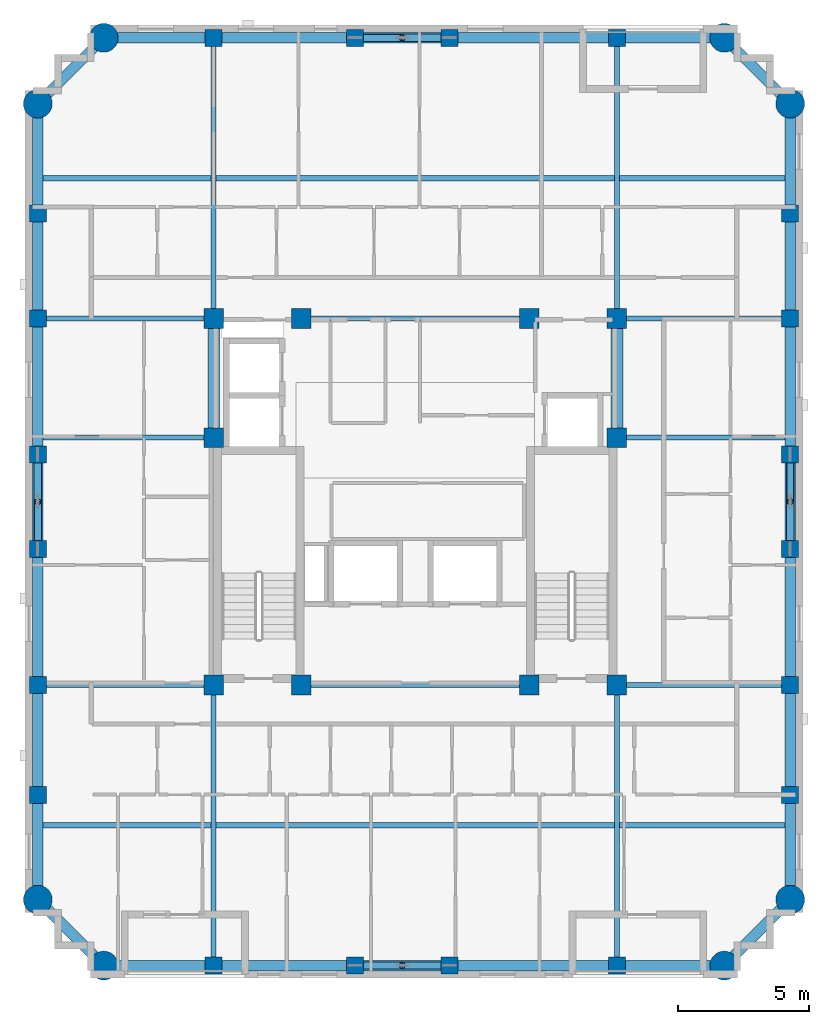
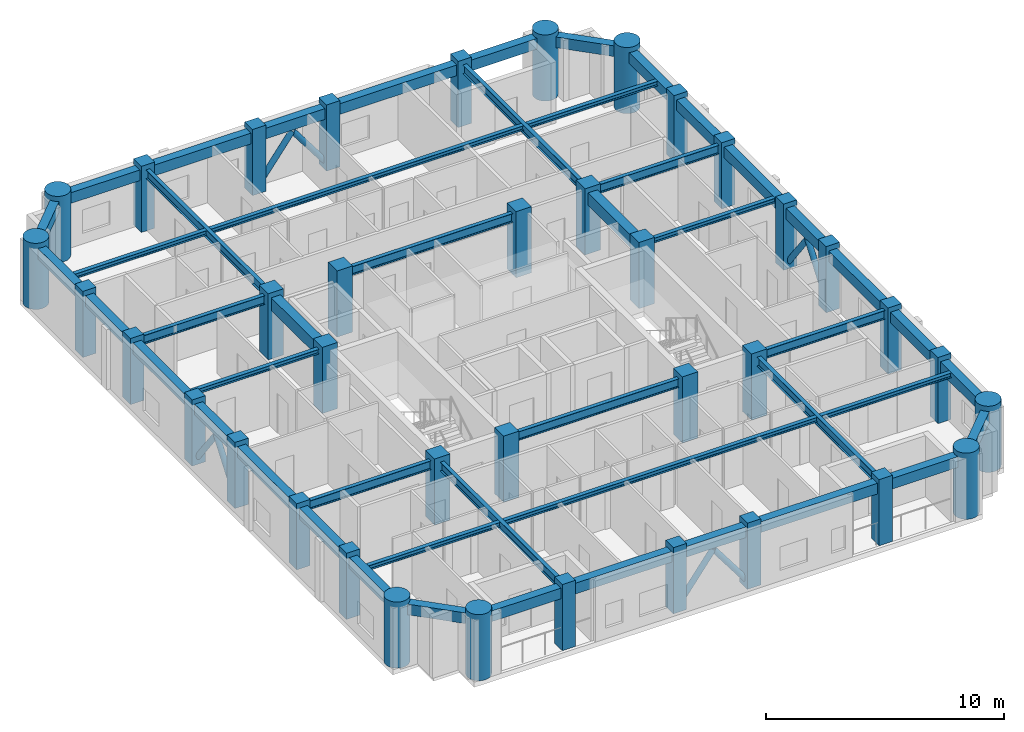
# One storey, part 1 of 11: 48 beams, 38 columns, 8 members.
"""IFC4 building model written with IfcOpenShell, lengths in metres."""

import ifcopenshell
import ifcopenshell.guid

model = None  # the IFC model being written
_history = None  # IfcOwnerHistory: only IFC2X3 demands one
_inside = {}  # id of a spatial element -> (the spatial element, [elements in it])
_under = {}  # id of a project, library or spatial element -> (it, [spatial elements below it])
_declared = {}  # id of a project -> (the project, [libraries it declares])
_typed = {}  # id of a type object -> (the type object, [elements of that type])
_made_of = {}  # id of a material, layer set ... -> (it, [elements and type objects made of it])


def new_model(schema):
    """Start an empty IFC model of exactly this schema.

    Asked for "IFC4X3", IfcOpenShell would pick the latest addendum, in which some entities
    have other attributes; the version numbers below select the first issue.
    IFC2X3 requires an IfcOwnerHistory on every rooted entity: one is made here for all.
    """
    global model, _history
    if schema == "IFC4X3":
        model = ifcopenshell.file(schema_version=(4, 3, 0, 0))
    else:
        model = ifcopenshell.file(schema=schema)
    _inside.clear()
    _under.clear()
    _declared.clear()
    _typed.clear()
    _made_of.clear()
    _history = None
    if model.schema == "IFC2X3":
        org = make("IfcOrganization", Name="unknown")
        user = make(
            "IfcPersonAndOrganization",
            ThePerson=make("IfcPerson", FamilyName="unknown"),
            TheOrganization=org,
        )
        app = make(
            "IfcApplication",
            ApplicationDeveloper=org,
            Version="unknown",
            ApplicationFullName="unknown",
            ApplicationIdentifier="unknown",
        )
        _history = make(
            "IfcOwnerHistory",
            OwningUser=user,
            OwningApplication=app,
            ChangeAction="ADDED",
            CreationDate=0,
        )
    return model


def make(cls, **values):
    """One entity of the class cls with the attributes given. An attribute that is None is left unset."""
    return model.create_entity(
        cls, **{name: value for name, value in values.items() if value is not None}
    )


def rooted(cls, **values):
    """An entity with a GlobalId (a new one), such as an element, a storey or a relation."""
    return make(cls, GlobalId=ifcopenshell.guid.new(), OwnerHistory=_history, **values)


def si_unit(unit_type, name, prefix=None):
    """IfcSIUnit, for example si_unit("LENGTHUNIT", "METRE", prefix="MILLI")."""
    return make("IfcSIUnit", UnitType=unit_type, Prefix=prefix, Name=name)


def derived_unit(unit_type, elements):
    """IfcDerivedUnit: a product of units, each with its exponent."""
    return make(
        "IfcDerivedUnit",
        Elements=[
            make("IfcDerivedUnitElement", Unit=unit, Exponent=power)
            for unit, power in elements
        ],
        UnitType=unit_type,
    )


def assignment(units):
    """IfcUnitAssignment: the units of a project."""
    return None if units is None else make("IfcUnitAssignment", Units=units)


def point(xyz):
    """IfcCartesianPoint."""
    return None if xyz is None else make("IfcCartesianPoint", Coordinates=xyz)


def direction(xyz):
    """IfcDirection."""
    return None if xyz is None else make("IfcDirection", DirectionRatios=xyz)


def frame(location, z_axis=None, x_axis=None):
    """IfcAxis2Placement3D, a coordinate frame: its origin and axes. An axis left out is left unset."""
    return make(
        "IfcAxis2Placement3D",
        Location=point(location),
        Axis=direction(z_axis),
        RefDirection=direction(x_axis),
    )


def frame_2d(location, x_axis=None):
    """IfcAxis2Placement2D, a coordinate frame in the plane: its origin and x axis."""
    return make(
        "IfcAxis2Placement2D", Location=point(location), RefDirection=direction(x_axis)
    )


def origin():
    """The frame at (0, 0, 0) with its axes left unset."""
    return frame((0.0, 0.0, 0.0))


def origin_2d():
    """The frame at (0, 0) in the plane with its x axis left unset."""
    return frame_2d((0.0, 0.0))


def place(relative_to, where):
    """IfcLocalPlacement: puts the frame where relative to a parent placement (None: the world)."""
    return make(
        "IfcLocalPlacement", PlacementRelTo=relative_to, RelativePlacement=where
    )


def context(
    kind, dimensions, precision=None, world=None, true_north=None, identifier=None
):
    """IfcGeometricRepresentationContext, for example the 3D "Model" context."""
    return make(
        "IfcGeometricRepresentationContext",
        ContextIdentifier=identifier,
        ContextType=kind,
        CoordinateSpaceDimension=dimensions,
        Precision=precision,
        WorldCoordinateSystem=world,
        TrueNorth=true_north,
    )


def subcontext(parent, identifier, kind, view, scale=None):
    """IfcGeometricRepresentationSubContext, for example "Body" below "Model"."""
    return make(
        "IfcGeometricRepresentationSubContext",
        ContextIdentifier=identifier,
        ContextType=kind,
        ParentContext=parent,
        TargetScale=scale,
        TargetView=view,
    )


def project(units=None, contexts=None):
    """IfcProject with its units and contexts."""
    return rooted(
        "IfcProject",
        Name="project",
        RepresentationContexts=contexts,
        UnitsInContext=assignment(units),
    )


def spatial(cls, under=None, at=None, **own):
    """A site, building, storey or space (cls), placed at a placement, below another one or the project."""
    s = rooted(cls, ObjectPlacement=at, **own)
    if under is not None:
        _under.setdefault(under.id(), (under, []))[1].append(s)
    return s


def profile(cls, at=None, kind="AREA", **sizes):
    """A parametric profile (cls). Its sizes go by their IFC names, for example OverallWidth=200.0."""
    return make(cls, ProfileType=kind, Position=at, **sizes)


def rectangle(**sizes):
    """IfcRectangleProfileDef."""
    return profile("IfcRectangleProfileDef", **sizes)


def circle(**sizes):
    """IfcCircleProfileDef."""
    return profile("IfcCircleProfileDef", **sizes)


def hollow_circle(**sizes):
    """IfcCircleHollowProfileDef."""
    return profile("IfcCircleHollowProfileDef", **sizes)


def i_section(**sizes):
    """IfcIShapeProfileDef."""
    return profile("IfcIShapeProfileDef", **sizes)


def extrude(swept, where, along, depth):
    """IfcExtrudedAreaSolid: the profile swept, set in the frame where, extruded along a direction by depth."""
    return make(
        "IfcExtrudedAreaSolid",
        SweptArea=swept,
        Position=where,
        ExtrudedDirection=direction(along),
        Depth=depth,
    )


def shape(context_of_items, identifier, shape_type, items):
    """IfcShapeRepresentation: the items that make up one representation, for example the "Body"."""
    return make(
        "IfcShapeRepresentation",
        ContextOfItems=context_of_items,
        RepresentationIdentifier=identifier,
        RepresentationType=shape_type,
        Items=items,
    )


def material(Name=None, Category=None):
    """IfcMaterial."""
    return make("IfcMaterial", Name=Name, Category=Category)


def material_profile(
    of_material, cross_section, Name=None, Category=None, Priority=None
):
    """IfcMaterialProfile: a cross section and its material."""
    return make(
        "IfcMaterialProfile",
        Name=Name,
        Material=of_material,
        Profile=cross_section,
        Priority=Priority,
        Category=Category,
    )


def profile_set(profiles, Name=None, composite=None):
    """IfcMaterialProfileSet."""
    return make(
        "IfcMaterialProfileSet",
        Name=Name,
        MaterialProfiles=profiles,
        CompositeProfile=composite,
    )


def made_of(thing, what):
    """Note that an element or type object is made of a material, layer set ...; save() writes the relation."""
    if what is not None:
        _made_of.setdefault(what.id(), (what, []))[1].append(thing)
    return thing


def type_object(cls, material=None, **own):
    """A type object (cls), such as IfcWallType, which elements share."""
    return made_of(rooted(cls, **own), material)


def element(
    cls,
    number,
    at=None,
    inside=None,
    cuts=None,
    type_object=None,
    material=None,
    context=None,
    identifier="Body",
    shape_type=None,
    held_by="IfcProductDefinitionShape",
    body=None,
    shapes=None,
    **own,
):
    """One element of the class cls, such as IfcWall. Its Tag is "e" and its number.

    at: its placement. inside: the storey or other place that contains it. cuts: it is an
    opening in that element (IfcRelVoidsElement). A single representation is given by context,
    identifier, shape_type and body (its items); several are given by shapes. held_by: the class
    of the entity that holds the representations. save() writes the other relations.
    """
    e = rooted(cls, Tag="e%d" % number, ObjectPlacement=at, **own)
    if body is not None:
        shapes = [shape(context, identifier, shape_type, body)]
    if shapes is not None:
        e.Representation = make(held_by, Representations=shapes)
    if inside is not None:
        _inside.setdefault(inside.id(), (inside, []))[1].append(e)
    if cuts is not None:
        rooted(
            "IfcRelVoidsElement", RelatingBuildingElement=cuts, RelatedOpeningElement=e
        )
    if type_object is not None:
        _typed.setdefault(type_object.id(), (type_object, []))[1].append(e)
    return made_of(e, material)


def aggregate(whole, parts):
    """IfcRelAggregates: a whole, such as a stair, and the parts it consists of."""
    return rooted("IfcRelAggregates", RelatingObject=whole, RelatedObjects=parts)


def save(model, path):
    """Write the relations noted so far, then the file.

    IfcRelAggregates (storeys below a building ...), IfcRelContainedInSpatialStructure (elements
    in a storey), IfcRelDefinesByType, IfcRelAssociatesMaterial and IfcRelDeclares: one each for
    every whole, place, type object, material and project.
    """
    for whole, parts in _under.values():
        aggregate(whole, parts)
    for where, things in _inside.values():
        rooted(
            "IfcRelContainedInSpatialStructure",
            RelatedElements=things,
            RelatingStructure=where,
        )
    for kind, things in _typed.values():
        rooted("IfcRelDefinesByType", RelatedObjects=things, RelatingType=kind)
    for what, things in _made_of.values():
        rooted("IfcRelAssociatesMaterial", RelatedObjects=things, RelatingMaterial=what)
    for by, libraries in _declared.values():
        rooted("IfcRelDeclares", RelatingContext=by, RelatedDefinitions=libraries)
    model.write(path)


model = new_model("IFC4")

# Units and contexts
model_context = context("Model", 3, precision=1e-05, world=origin(), true_north=direction((0.0, 1.0)))
body_context = subcontext(model_context, "Body", "Model", "MODEL_VIEW")
ifc_project = project(units=[si_unit("LENGTHUNIT", "METRE"), si_unit("AREAUNIT", "SQUARE_METRE"), si_unit("VOLUMEUNIT", "CUBIC_METRE"), si_unit("PLANEANGLEUNIT", "RADIAN"), si_unit("MASSUNIT", "GRAM", prefix="KILO"), derived_unit("THERMALTRANSMITTANCEUNIT", [(si_unit("MASSUNIT", "GRAM", prefix="KILO"), 1), (si_unit("TIMEUNIT", "SECOND"), -3), (si_unit("THERMODYNAMICTEMPERATUREUNIT", "KELVIN"), -1)])], contexts=[model_context])

# Site, building, storey
site_placement = place(None, origin())
site = spatial("IfcSite", under=ifc_project, at=site_placement, CompositionType="ELEMENT")
building_placement = place(site_placement, origin())
building = spatial("IfcBuilding", under=site, at=building_placement, Name="Korrvale Station Residences", CompositionType="ELEMENT")
storey_placement = place(building_placement, frame((0.0, 0.0, 227.5)))
storey = spatial("IfcBuildingStorey", under=building, at=storey_placement, Name="L66", CompositionType="ELEMENT", Elevation=227.5)

# Columns
ifc_material_1 = material(Name="Concrete C50/60", Category="concrete")
ifc_material_profile_1 = material_profile(ifc_material_1, rectangle(XDim=0.64990234375, YDim=0.64990234375, at=origin_2d()), Name="RC650x650")
ifc_profile_set_1 = profile_set([ifc_material_profile_1], Name="Concrete C50/60")
column_type_1 = type_object("IfcColumnType", Name="COL-C-RC650x650-C5060", PredefinedType="COLUMN", material=ifc_profile_set_1)
for number, where, z_axis, x_axis, name in (
    (1, (17.800048828125, 4.280029296875, 0.0), (0.0, 0.0, 1.0), (1.0, 0.0, 0.0), "L66 Bundled-Tube South Column 02"),
    (2, (23.199951171875, 4.280029296875, 0.0), (0.0, 0.0, 1.0), (1.0, 0.0, 0.0), "L66 Bundled-Tube South Column 03"),
    (3, (26.800048828125, 4.280029296875, 0.0), (0.0, 0.0, 1.0), (1.0, 0.0, 0.0), "L66 Bundled-Tube South Column 04"),
    (4, (33.199951171875, 4.280029296875, 0.0), (0.0, 0.0, 1.0), (1.0, 0.0, 0.0), "L66 Bundled-Tube South Column 05"),
    (5, (17.800048828125, 39.719970703125, 0.0), (0.0, 0.0, 1.0), (1.0, 0.0, 0.0), "L66 Bundled-Tube North Column 08"),
    (6, (23.199951171875, 39.719970703125, 0.0), (0.0, 0.0, 1.0), (1.0, 0.0, 0.0), "L66 Bundled-Tube North Column 09"),
    (7, (26.800048828125, 39.719970703125, 0.0), (0.0, 0.0, 1.0), (1.0, 0.0, 0.0), "L66 Bundled-Tube North Column 10"),
    (8, (33.199951171875, 39.719970703125, 0.0), (0.0, 0.0, 1.0), (1.0, 0.0, 0.0), "L66 Bundled-Tube North Column 11"),
    (9, (11.080078125, 10.800048828125, 0.0), (0.0, 0.0, 1.0), (1.0, 0.0, 0.0), "L66 Bundled-Tube West Column 14"),
    (10, (11.080078125, 15.0, 0.0), (0.0, 0.0, 1.0), (1.0, 0.0, 0.0), "L66 Bundled-Tube West Column 15"),
    (11, (11.080078125, 20.199951171875, 0.0), (0.0, 0.0, 1.0), (1.0, 0.0, 0.0), "L66 Bundled-Tube West Column 16"),
    (12, (11.080078125, 23.800048828125, 0.0), (0.0, 0.0, 1.0), (1.0, 0.0, 0.0), "L66 Bundled-Tube West Column 17"),
    (13, (11.080078125, 29.0, 0.0), (0.0, 0.0, 1.0), (1.0, 0.0, 0.0), "L66 Bundled-Tube West Column 18"),
    (14, (11.080078125, 33.0, 0.0), (0.0, 0.0, 1.0), (1.0, 0.0, 0.0), "L66 Bundled-Tube West Column 19"),
    (15, (39.820068359375, 10.800048828125, 0.0), (0.0, 0.0, 1.0), (1.0, 0.0, 0.0), "L66 Bundled-Tube East Column 22"),
    (16, (39.820068359375, 15.0, 0.0), (0.0, 0.0, 1.0), (1.0, 0.0, 0.0), "L66 Bundled-Tube East Column 23"),
    (17, (39.820068359375, 20.199951171875, 0.0), (0.0, 0.0, 1.0), (1.0, 0.0, 0.0), "L66 Bundled-Tube East Column 24"),
    (18, (39.820068359375, 23.800048828125, 0.0), (0.0, 0.0, 1.0), (1.0, 0.0, 0.0), "L66 Bundled-Tube East Column 25"),
    (19, (39.820068359375, 29.0, 0.0), (0.0, 0.0, 1.0), (1.0, 0.0, 0.0), "L66 Bundled-Tube East Column 26"),
    (20, (39.820068359375, 33.0, 0.0), (0.0, 0.0, 1.0), (1.0, 0.0, 0.0), "L66 Bundled-Tube East Column 27"),
):
    element("IfcColumn", number, at=place(storey_placement, frame(where, z_axis=z_axis, x_axis=x_axis)), inside=storey, type_object=column_type_1, Name=name, PredefinedType="COLUMN", context=body_context, shape_type="SweptSolid", body=[
        extrude(rectangle(XDim=0.64990234375, YDim=0.64990234375, at=origin_2d()), origin(), (0.0, 0.0, 1.0), 3.39990234375),
    ])
ifc_material_profile_2 = material_profile(ifc_material_1, rectangle(XDim=0.75, YDim=0.75, at=origin_2d()), Name="RC750x750")
ifc_profile_set_2 = profile_set([ifc_material_profile_2], Name="Concrete C50/60")
column_type_2 = type_object("IfcColumnType", Name="COL-C-RC750x750-C5060", PredefinedType="COLUMN", material=ifc_profile_set_2)
for number, where, z_axis, x_axis, name in (
    (21, (17.800048828125, 15.0, 0.0), (0.0, 0.0, 1.0), (1.0, 0.0, 0.0), "L66 Core Column 01"),
    (22, (21.14990234375, 15.0, 0.0), (0.0, 0.0, 1.0), (1.0, 0.0, 0.0), "L66 Core Column 02"),
    (23, (29.85009765625, 15.0, 0.0), (0.0, 0.0, 1.0), (1.0, 0.0, 0.0), "L66 Core Column 03"),
    (24, (33.199951171875, 15.0, 0.0), (0.0, 0.0, 1.0), (1.0, 0.0, 0.0), "L66 Core Column 04"),
    (25, (17.800048828125, 29.0, 0.0), (0.0, 0.0, 1.0), (1.0, 0.0, 0.0), "L66 Core Column 05"),
    (26, (21.14990234375, 29.0, 0.0), (0.0, 0.0, 1.0), (1.0, 0.0, 0.0), "L66 Core Column 06"),
    (27, (29.85009765625, 29.0, 0.0), (0.0, 0.0, 1.0), (1.0, 0.0, 0.0), "L66 Core Column 07"),
    (28, (33.199951171875, 29.0, 0.0), (0.0, 0.0, 1.0), (1.0, 0.0, 0.0), "L66 Core Column 08"),
    (29, (17.800048828125, 24.449951171875, 0.0), (0.0, 0.0, 1.0), (1.0, 0.0, 0.0), "L66 Core Column 09"),
    (30, (33.199951171875, 24.449951171875, 0.0), (0.0, 0.0, 1.0), (1.0, 0.0, 0.0), "L66 Core Column 10"),
):
    element("IfcColumn", number, at=place(storey_placement, frame(where, z_axis=z_axis, x_axis=x_axis)), inside=storey, type_object=column_type_2, Name=name, PredefinedType="COLUMN", context=body_context, shape_type="SweptSolid", body=[
        extrude(rectangle(XDim=0.75, YDim=0.75, at=origin_2d()), origin(), (0.0, 0.0, 1.0), 3.39990234375),
    ])
ifc_material_profile_3 = material_profile(ifc_material_1, circle(Radius=0.550048828125, at=origin_2d()), Name="RCC1100")
ifc_profile_set_3 = profile_set([ifc_material_profile_3], Name="Concrete C50/60")
column_type_3 = type_object("IfcColumnType", Name="COL-C-RCC1100-C5060", PredefinedType="COLUMN", material=ifc_profile_set_3)
for number, where, z_axis, x_axis, name in (
    (31, (13.60009765625, 4.280029296875, 0.0), (0.0, 0.0, 1.0), (1.0, 0.0, 0.0), "L66 Bundled-Tube South Column 01"),
    (32, (37.300048828125, 4.280029296875, 0.0), (0.0, 0.0, 1.0), (1.0, 0.0, 0.0), "L66 Bundled-Tube South Column 06"),
    (33, (13.60009765625, 39.719970703125, 0.0), (0.0, 0.0, 1.0), (1.0, 0.0, 0.0), "L66 Bundled-Tube North Column 07"),
    (34, (37.300048828125, 39.719970703125, 0.0), (0.0, 0.0, 1.0), (1.0, 0.0, 0.0), "L66 Bundled-Tube North Column 12"),
    (35, (11.080078125, 6.800048828125, 0.0), (0.0, 0.0, 1.0), (1.0, 0.0, 0.0), "L66 Bundled-Tube West Column 13"),
    (36, (11.080078125, 37.199951171875, 0.0), (0.0, 0.0, 1.0), (1.0, 0.0, 0.0), "L66 Bundled-Tube West Column 20"),
    (37, (39.820068359375, 6.800048828125, 0.0), (0.0, 0.0, 1.0), (1.0, 0.0, 0.0), "L66 Bundled-Tube East Column 21"),
    (38, (39.820068359375, 37.199951171875, 0.0), (0.0, 0.0, 1.0), (1.0, 0.0, 0.0), "L66 Bundled-Tube East Column 28"),
):
    element("IfcColumn", number, at=place(storey_placement, frame(where, z_axis=z_axis, x_axis=x_axis)), inside=storey, type_object=column_type_3, Name=name, PredefinedType="COLUMN", context=body_context, shape_type="SweptSolid", body=[
        extrude(circle(Radius=0.550048828125, at=origin_2d()), origin(), (0.0, 0.0, 1.0), 3.39990234375),
    ])

# Beams
ifc_material_2 = material(Name="Steel S355", Category="steel")
ifc_material_profile_4 = material_profile(ifc_material_2, i_section(OverallWidth=0.18994140625, OverallDepth=0.45703125, WebThickness=0.009033203125, FlangeThickness=0.014404296875, FilletRadius=0.01611328125, at=origin_2d()), Name="W460x74")
ifc_profile_set_4 = profile_set([ifc_material_profile_4], Name="Steel S355")
beam_type_1 = type_object("IfcBeamType", Name="BM-BM-W460x74-S355", PredefinedType="BEAM", material=ifc_profile_set_4)
for number, where, z_axis, x_axis, name in (
    (39, (17.800048828125, 4.280029296875, 2.91162109375), (0.0, 1.0, 0.0), (-1.0, 0.0, 0.0), "L66 Bundled-Tube Web Girder 01"),
    (40, (33.199951171875, 4.280029296875, 2.91162109375), (0.0, 1.0, 0.0), (-1.0, 0.0, 0.0), "L66 Bundled-Tube Web Girder 02"),
    (41, (17.800048828125, 29.0, 2.91162109375), (0.0, 1.0, 0.0), (-1.0, 0.0, 0.0), "L66 Bundled-Tube Web Girder 03"),
    (42, (33.199951171875, 29.0, 2.91162109375), (0.0, 1.0, 0.0), (-1.0, 0.0, 0.0), "L66 Bundled-Tube Web Girder 04"),
):
    element("IfcBeam", number, at=place(storey_placement, frame(where, z_axis=z_axis, x_axis=x_axis)), inside=storey, type_object=beam_type_1, Name=name, PredefinedType="BEAM", context=body_context, shape_type="SweptSolid", body=[
        extrude(i_section(OverallWidth=0.18994140625, OverallDepth=0.45703125, WebThickness=0.009033203125, FlangeThickness=0.014404296875, FilletRadius=0.01611328125, at=origin_2d()), origin(), (0.0, 0.0, 1.0), 10.719970703125),
    ])
beam_1_placement = place(storey_placement, frame((11.080078125, 15.0, 2.91162109375), z_axis=(1.0, 0.0, 0.0), x_axis=(0.0, 1.0, 0.0)))
element("IfcBeam", 43, at=beam_1_placement, inside=storey, type_object=beam_type_1, Name="L66 Bundled-Tube Web Girder 05", PredefinedType="BEAM", context=body_context, shape_type="SweptSolid", body=[
    extrude(i_section(OverallWidth=0.18994140625, OverallDepth=0.45703125, WebThickness=0.009033203125, FlangeThickness=0.014404296875, FilletRadius=0.01611328125, at=origin_2d()), origin(), (0.0, 0.0, 1.0), 6.719970703125),
])
beam_2_placement = place(storey_placement, frame((33.199951171875, 15.0, 2.91162109375), z_axis=(1.0, 0.0, 0.0), x_axis=(0.0, 1.0, 0.0)))
element("IfcBeam", 44, at=beam_2_placement, inside=storey, type_object=beam_type_1, Name="L66 Bundled-Tube Web Girder 06", PredefinedType="BEAM", context=body_context, shape_type="SweptSolid", body=[
    extrude(i_section(OverallWidth=0.18994140625, OverallDepth=0.45703125, WebThickness=0.009033203125, FlangeThickness=0.014404296875, FilletRadius=0.01611328125, at=origin_2d()), origin(), (0.0, 0.0, 1.0), 6.6201171875),
])
beam_3_placement = place(storey_placement, frame((11.080078125, 29.0, 2.91162109375), z_axis=(1.0, 0.0, 0.0), x_axis=(0.0, 1.0, 0.0)))
element("IfcBeam", 45, at=beam_3_placement, inside=storey, type_object=beam_type_1, Name="L66 Bundled-Tube Web Girder 07", PredefinedType="BEAM", context=body_context, shape_type="SweptSolid", body=[
    extrude(i_section(OverallWidth=0.18994140625, OverallDepth=0.45703125, WebThickness=0.009033203125, FlangeThickness=0.014404296875, FilletRadius=0.01611328125, at=origin_2d()), origin(), (0.0, 0.0, 1.0), 6.719970703125),
])
beam_4_placement = place(storey_placement, frame((33.199951171875, 29.0, 2.91162109375), z_axis=(1.0, 0.0, 0.0), x_axis=(0.0, 1.0, 0.0)))
element("IfcBeam", 46, at=beam_4_placement, inside=storey, type_object=beam_type_1, Name="L66 Bundled-Tube Web Girder 08", PredefinedType="BEAM", context=body_context, shape_type="SweptSolid", body=[
    extrude(i_section(OverallWidth=0.18994140625, OverallDepth=0.45703125, WebThickness=0.009033203125, FlangeThickness=0.014404296875, FilletRadius=0.01611328125, at=origin_2d()), origin(), (0.0, 0.0, 1.0), 6.6201171875),
])
for number, where, z_axis, x_axis, name in (
    (47, (21.14990234375, 15.0, 2.91162109375), (1.0, 0.0, 0.0), (0.0, 1.0, 0.0), "L66 Bundled-Tube Web Girder 09"),
    (48, (21.14990234375, 29.0, 2.91162109375), (1.0, 0.0, 0.0), (0.0, 1.0, 0.0), "L66 Bundled-Tube Web Girder 10"),
):
    element("IfcBeam", number, at=place(storey_placement, frame(where, z_axis=z_axis, x_axis=x_axis)), inside=storey, type_object=beam_type_1, Name=name, PredefinedType="BEAM", context=body_context, shape_type="SweptSolid", body=[
        extrude(i_section(OverallWidth=0.18994140625, OverallDepth=0.45703125, WebThickness=0.009033203125, FlangeThickness=0.014404296875, FilletRadius=0.01611328125, at=origin_2d()), origin(), (0.0, 0.0, 1.0), 8.7001953125),
    ])
ifc_material_profile_5 = material_profile(ifc_material_2, i_section(OverallWidth=0.201904296875, OverallDepth=0.2470703125, WebThickness=0.00732421875, FlangeThickness=0.010986328125, FilletRadius=0.012939453125, at=origin_2d()), Name="W250x49")
ifc_profile_set_5 = profile_set([ifc_material_profile_5], Name="Steel S355")
beam_type_2 = type_object("IfcBeamType", Name="BM-JST-W250x49-S355", PredefinedType="JOIST", material=ifc_profile_set_5)
beam_5_placement = place(storey_placement, frame((11.280029296875, 9.639892578125, 3.0166015625), z_axis=(1.0, 0.0, 0.0), x_axis=(0.0, 1.0, 0.0)))
element("IfcBeam", 49, at=beam_5_placement, inside=storey, type_object=beam_type_2, Name="L66 Floor Framing Joist 01", PredefinedType="JOIST", context=body_context, shape_type="SweptSolid", body=[
    extrude(i_section(OverallWidth=0.201904296875, OverallDepth=0.2470703125, WebThickness=0.00732421875, FlangeThickness=0.010986328125, FilletRadius=0.012939453125, at=origin_2d()), origin(), (0.0, 0.0, 1.0), 6.425048828125),
])
beam_6_placement = place(storey_placement, frame((17.89501953125, 9.639892578125, 3.0166015625), z_axis=(1.0, 0.0, 0.0), x_axis=(0.0, 1.0, 0.0)))
element("IfcBeam", 50, at=beam_6_placement, inside=storey, type_object=beam_type_2, Name="L66 Floor Framing Joist 02", PredefinedType="JOIST", context=body_context, shape_type="SweptSolid", body=[
    extrude(i_section(OverallWidth=0.201904296875, OverallDepth=0.2470703125, WebThickness=0.00732421875, FlangeThickness=0.010986328125, FilletRadius=0.012939453125, at=origin_2d()), origin(), (0.0, 0.0, 1.0), 15.2099609375),
])
beam_7_placement = place(storey_placement, frame((33.294921875, 9.639892578125, 3.0166015625), z_axis=(1.0, 0.0, 0.0), x_axis=(0.0, 1.0, 0.0)))
element("IfcBeam", 51, at=beam_7_placement, inside=storey, type_object=beam_type_2, Name="L66 Floor Framing Joist 03", PredefinedType="JOIST", context=body_context, shape_type="SweptSolid", body=[
    extrude(i_section(OverallWidth=0.201904296875, OverallDepth=0.2470703125, WebThickness=0.00732421875, FlangeThickness=0.010986328125, FilletRadius=0.012939453125, at=origin_2d()), origin(), (0.0, 0.0, 1.0), 6.3251953125),
])
beam_8_placement = place(storey_placement, frame((11.280029296875, 34.360107421875, 3.0166015625), z_axis=(1.0, 0.0, 0.0), x_axis=(0.0, 1.0, 0.0)))
element("IfcBeam", 52, at=beam_8_placement, inside=storey, type_object=beam_type_2, Name="L66 Floor Framing Joist 04", PredefinedType="JOIST", context=body_context, shape_type="SweptSolid", body=[
    extrude(i_section(OverallWidth=0.201904296875, OverallDepth=0.2470703125, WebThickness=0.00732421875, FlangeThickness=0.010986328125, FilletRadius=0.012939453125, at=origin_2d()), origin(), (0.0, 0.0, 1.0), 6.425048828125),
])
beam_9_placement = place(storey_placement, frame((17.89501953125, 34.360107421875, 3.0166015625), z_axis=(1.0, 0.0, 0.0), x_axis=(0.0, 1.0, 0.0)))
element("IfcBeam", 53, at=beam_9_placement, inside=storey, type_object=beam_type_2, Name="L66 Floor Framing Joist 05", PredefinedType="JOIST", context=body_context, shape_type="SweptSolid", body=[
    extrude(i_section(OverallWidth=0.201904296875, OverallDepth=0.2470703125, WebThickness=0.00732421875, FlangeThickness=0.010986328125, FilletRadius=0.012939453125, at=origin_2d()), origin(), (0.0, 0.0, 1.0), 15.2099609375),
])
beam_10_placement = place(storey_placement, frame((33.294921875, 34.360107421875, 3.0166015625), z_axis=(1.0, 0.0, 0.0), x_axis=(0.0, 1.0, 0.0)))
element("IfcBeam", 54, at=beam_10_placement, inside=storey, type_object=beam_type_2, Name="L66 Floor Framing Joist 06", PredefinedType="JOIST", context=body_context, shape_type="SweptSolid", body=[
    extrude(i_section(OverallWidth=0.201904296875, OverallDepth=0.2470703125, WebThickness=0.00732421875, FlangeThickness=0.010986328125, FilletRadius=0.012939453125, at=origin_2d()), origin(), (0.0, 0.0, 1.0), 6.3251953125),
])
beam_11_placement = place(storey_placement, frame((33.425048828125, 24.449951171875, 3.0166015625), z_axis=(1.0, 0.0, 0.0), x_axis=(0.0, 1.0, 0.0)))
element("IfcBeam", 55, at=beam_11_placement, inside=storey, type_object=beam_type_2, Name="L66 Floor Framing Joist 07", PredefinedType="JOIST", context=body_context, shape_type="SweptSolid", body=[
    extrude(i_section(OverallWidth=0.201904296875, OverallDepth=0.2470703125, WebThickness=0.00732421875, FlangeThickness=0.010986328125, FilletRadius=0.012939453125, at=origin_2d()), origin(), (0.0, 0.0, 1.0), 6.195068359375),
])
beam_12_placement = place(storey_placement, frame((11.280029296875, 24.449951171875, 3.0166015625), z_axis=(1.0, 0.0, 0.0), x_axis=(0.0, 1.0, 0.0)))
element("IfcBeam", 56, at=beam_12_placement, inside=storey, type_object=beam_type_2, Name="L66 Floor Framing Joist 08", PredefinedType="JOIST", context=body_context, shape_type="SweptSolid", body=[
    extrude(i_section(OverallWidth=0.201904296875, OverallDepth=0.2470703125, WebThickness=0.00732421875, FlangeThickness=0.010986328125, FilletRadius=0.012939453125, at=origin_2d()), origin(), (0.0, 0.0, 1.0), 6.294921875),
])
ifc_material_profile_6 = material_profile(ifc_material_1, rectangle(XDim=0.449951171875, YDim=0.64990234375, at=origin_2d()), Name="RCB450x650")
ifc_profile_set_6 = profile_set([ifc_material_profile_6], Name="Concrete C50/60")
beam_type_3 = type_object("IfcBeamType", Name="BM-LNT-RCB450x650-C5060", PredefinedType="LINTEL", material=ifc_profile_set_6)
for number, where, z_axis, x_axis, name in (
    (57, (17.800048828125, 24.449951171875, 2.81494140625), (0.0, 1.0, 0.0), (-1.0, 0.0, 0.0), "L66 Core Coupling Lintel 1"),
    (58, (33.199951171875, 24.449951171875, 2.81494140625), (0.0, 1.0, 0.0), (-1.0, 0.0, 0.0), "L66 Core Coupling Lintel 2"),
):
    element("IfcBeam", number, at=place(storey_placement, frame(where, z_axis=z_axis, x_axis=x_axis)), inside=storey, type_object=beam_type_3, Name=name, PredefinedType="LINTEL", context=body_context, shape_type="SweptSolid", body=[
        extrude(rectangle(XDim=0.449951171875, YDim=0.64990234375, at=origin_2d()), origin(), (0.0, 0.0, 1.0), 4.550048828125),
    ])
ifc_material_profile_7 = material_profile(ifc_material_1, rectangle(XDim=0.39990234375, YDim=0.550048828125, at=origin_2d()), Name="RCB400x550")
ifc_profile_set_7 = profile_set([ifc_material_profile_7], Name="Concrete C50/60")
beam_type_4 = type_object("IfcBeamType", Name="BM-SPB-RCB400x550-C5060", PredefinedType="SPANDREL", material=ifc_profile_set_7)
beam_13_placement = place(storey_placement, frame((13.60009765625, 4.280029296875, 2.864990234375), z_axis=(1.0, 0.0, 0.0), x_axis=(0.0, 1.0, 0.0)))
element("IfcBeam", 59, at=beam_13_placement, inside=storey, type_object=beam_type_4, Name="L66 South Tube Spandrel 01", PredefinedType="SPANDREL", context=body_context, shape_type="SweptSolid", body=[
    extrude(rectangle(XDim=0.39990234375, YDim=0.550048828125, at=origin_2d()), origin(), (0.0, 0.0, 1.0), 4.199951171875),
])
beam_14_placement = place(storey_placement, frame((17.800048828125, 4.280029296875, 2.864990234375), z_axis=(1.0, 0.0, 0.0), x_axis=(0.0, 1.0, 0.0)))
element("IfcBeam", 60, at=beam_14_placement, inside=storey, type_object=beam_type_4, Name="L66 South Tube Spandrel 02", PredefinedType="SPANDREL", context=body_context, shape_type="SweptSolid", body=[
    extrude(rectangle(XDim=0.39990234375, YDim=0.550048828125, at=origin_2d()), origin(), (0.0, 0.0, 1.0), 5.39990234375),
])
beam_15_placement = place(storey_placement, frame((23.199951171875, 4.280029296875, 2.864990234375), z_axis=(1.0, 0.0, 0.0), x_axis=(0.0, 1.0, 0.0)))
element("IfcBeam", 61, at=beam_15_placement, inside=storey, type_object=beam_type_4, Name="L66 South Tube Spandrel 03", PredefinedType="SPANDREL", context=body_context, shape_type="SweptSolid", body=[
    extrude(rectangle(XDim=0.39990234375, YDim=0.550048828125, at=origin_2d()), origin(), (0.0, 0.0, 1.0), 3.60009765625),
])
beam_16_placement = place(storey_placement, frame((26.800048828125, 4.280029296875, 2.864990234375), z_axis=(1.0, 0.0, 0.0), x_axis=(0.0, 1.0, 0.0)))
element("IfcBeam", 62, at=beam_16_placement, inside=storey, type_object=beam_type_4, Name="L66 South Tube Spandrel 04", PredefinedType="SPANDREL", context=body_context, shape_type="SweptSolid", body=[
    extrude(rectangle(XDim=0.39990234375, YDim=0.550048828125, at=origin_2d()), origin(), (0.0, 0.0, 1.0), 6.39990234375),
])
beam_17_placement = place(storey_placement, frame((33.199951171875, 4.280029296875, 2.864990234375), z_axis=(1.0, 0.0, 0.0), x_axis=(0.0, 1.0, 0.0)))
element("IfcBeam", 63, at=beam_17_placement, inside=storey, type_object=beam_type_4, Name="L66 South Tube Spandrel 05", PredefinedType="SPANDREL", context=body_context, shape_type="SweptSolid", body=[
    extrude(rectangle(XDim=0.39990234375, YDim=0.550048828125, at=origin_2d()), origin(), (0.0, 0.0, 1.0), 4.10009765625),
])
beam_18_placement = place(storey_placement, frame((13.60009765625, 39.719970703125, 2.864990234375), z_axis=(1.0, 0.0, 0.0), x_axis=(0.0, 1.0, 0.0)))
element("IfcBeam", 64, at=beam_18_placement, inside=storey, type_object=beam_type_4, Name="L66 North Tube Spandrel 06", PredefinedType="SPANDREL", context=body_context, shape_type="SweptSolid", body=[
    extrude(rectangle(XDim=0.39990234375, YDim=0.550048828125, at=origin_2d()), origin(), (0.0, 0.0, 1.0), 4.199951171875),
])
beam_19_placement = place(storey_placement, frame((17.800048828125, 39.719970703125, 2.864990234375), z_axis=(1.0, 0.0, 0.0), x_axis=(0.0, 1.0, 0.0)))
element("IfcBeam", 65, at=beam_19_placement, inside=storey, type_object=beam_type_4, Name="L66 North Tube Spandrel 07", PredefinedType="SPANDREL", context=body_context, shape_type="SweptSolid", body=[
    extrude(rectangle(XDim=0.39990234375, YDim=0.550048828125, at=origin_2d()), origin(), (0.0, 0.0, 1.0), 5.39990234375),
])
beam_20_placement = place(storey_placement, frame((23.199951171875, 39.719970703125, 2.864990234375), z_axis=(1.0, 0.0, 0.0), x_axis=(0.0, 1.0, 0.0)))
element("IfcBeam", 66, at=beam_20_placement, inside=storey, type_object=beam_type_4, Name="L66 North Tube Spandrel 08", PredefinedType="SPANDREL", context=body_context, shape_type="SweptSolid", body=[
    extrude(rectangle(XDim=0.39990234375, YDim=0.550048828125, at=origin_2d()), origin(), (0.0, 0.0, 1.0), 3.60009765625),
])
beam_21_placement = place(storey_placement, frame((26.800048828125, 39.719970703125, 2.864990234375), z_axis=(1.0, 0.0, 0.0), x_axis=(0.0, 1.0, 0.0)))
element("IfcBeam", 67, at=beam_21_placement, inside=storey, type_object=beam_type_4, Name="L66 North Tube Spandrel 09", PredefinedType="SPANDREL", context=body_context, shape_type="SweptSolid", body=[
    extrude(rectangle(XDim=0.39990234375, YDim=0.550048828125, at=origin_2d()), origin(), (0.0, 0.0, 1.0), 6.39990234375),
])
beam_22_placement = place(storey_placement, frame((33.199951171875, 39.719970703125, 2.864990234375), z_axis=(1.0, 0.0, 0.0), x_axis=(0.0, 1.0, 0.0)))
element("IfcBeam", 68, at=beam_22_placement, inside=storey, type_object=beam_type_4, Name="L66 North Tube Spandrel 10", PredefinedType="SPANDREL", context=body_context, shape_type="SweptSolid", body=[
    extrude(rectangle(XDim=0.39990234375, YDim=0.550048828125, at=origin_2d()), origin(), (0.0, 0.0, 1.0), 4.10009765625),
])
beam_23_placement = place(storey_placement, frame((11.080078125, 6.800048828125, 2.864990234375), z_axis=(0.0, 1.0, 0.0), x_axis=(-1.0, 0.0, 0.0)))
element("IfcBeam", 69, at=beam_23_placement, inside=storey, type_object=beam_type_4, Name="L66 West Tube Spandrel 11", PredefinedType="SPANDREL", context=body_context, shape_type="SweptSolid", body=[
    extrude(rectangle(XDim=0.39990234375, YDim=0.550048828125, at=origin_2d()), origin(), (0.0, 0.0, 1.0), 4.0),
])
beam_24_placement = place(storey_placement, frame((11.080078125, 10.800048828125, 2.864990234375), z_axis=(0.0, 1.0, 0.0), x_axis=(-1.0, 0.0, 0.0)))
element("IfcBeam", 70, at=beam_24_placement, inside=storey, type_object=beam_type_4, Name="L66 West Tube Spandrel 12", PredefinedType="SPANDREL", context=body_context, shape_type="SweptSolid", body=[
    extrude(rectangle(XDim=0.39990234375, YDim=0.550048828125, at=origin_2d()), origin(), (0.0, 0.0, 1.0), 4.199951171875),
])
beam_25_placement = place(storey_placement, frame((11.080078125, 15.0, 2.864990234375), z_axis=(0.0, 1.0, 0.0), x_axis=(-1.0, 0.0, 0.0)))
element("IfcBeam", 71, at=beam_25_placement, inside=storey, type_object=beam_type_4, Name="L66 West Tube Spandrel 13", PredefinedType="SPANDREL", context=body_context, shape_type="SweptSolid", body=[
    extrude(rectangle(XDim=0.39990234375, YDim=0.550048828125, at=origin_2d()), origin(), (0.0, 0.0, 1.0), 5.199951171875),
])
beam_26_placement = place(storey_placement, frame((11.080078125, 20.199951171875, 2.864990234375), z_axis=(0.0, 1.0, 0.0), x_axis=(-1.0, 0.0, 0.0)))
element("IfcBeam", 72, at=beam_26_placement, inside=storey, type_object=beam_type_4, Name="L66 West Tube Spandrel 14", PredefinedType="SPANDREL", context=body_context, shape_type="SweptSolid", body=[
    extrude(rectangle(XDim=0.39990234375, YDim=0.550048828125, at=origin_2d()), origin(), (0.0, 0.0, 1.0), 3.60009765625),
])
beam_27_placement = place(storey_placement, frame((11.080078125, 23.800048828125, 2.864990234375), z_axis=(0.0, 1.0, 0.0), x_axis=(-1.0, 0.0, 0.0)))
element("IfcBeam", 73, at=beam_27_placement, inside=storey, type_object=beam_type_4, Name="L66 West Tube Spandrel 15", PredefinedType="SPANDREL", context=body_context, shape_type="SweptSolid", body=[
    extrude(rectangle(XDim=0.39990234375, YDim=0.550048828125, at=origin_2d()), origin(), (0.0, 0.0, 1.0), 5.199951171875),
])
beam_28_placement = place(storey_placement, frame((11.080078125, 29.0, 2.864990234375), z_axis=(0.0, 1.0, 0.0), x_axis=(-1.0, 0.0, 0.0)))
element("IfcBeam", 74, at=beam_28_placement, inside=storey, type_object=beam_type_4, Name="L66 West Tube Spandrel 16", PredefinedType="SPANDREL", context=body_context, shape_type="SweptSolid", body=[
    extrude(rectangle(XDim=0.39990234375, YDim=0.550048828125, at=origin_2d()), origin(), (0.0, 0.0, 1.0), 4.0),
])
beam_29_placement = place(storey_placement, frame((11.080078125, 33.0, 2.864990234375), z_axis=(0.0, 1.0, 0.0), x_axis=(-1.0, 0.0, 0.0)))
element("IfcBeam", 75, at=beam_29_placement, inside=storey, type_object=beam_type_4, Name="L66 West Tube Spandrel 17", PredefinedType="SPANDREL", context=body_context, shape_type="SweptSolid", body=[
    extrude(rectangle(XDim=0.39990234375, YDim=0.550048828125, at=origin_2d()), origin(), (0.0, 0.0, 1.0), 4.199951171875),
])
beam_30_placement = place(storey_placement, frame((39.820068359375, 6.800048828125, 2.864990234375), z_axis=(0.0, 1.0, 0.0), x_axis=(-1.0, 0.0, 0.0)))
element("IfcBeam", 76, at=beam_30_placement, inside=storey, type_object=beam_type_4, Name="L66 East Tube Spandrel 18", PredefinedType="SPANDREL", context=body_context, shape_type="SweptSolid", body=[
    extrude(rectangle(XDim=0.39990234375, YDim=0.550048828125, at=origin_2d()), origin(), (0.0, 0.0, 1.0), 4.0),
])
beam_31_placement = place(storey_placement, frame((39.820068359375, 10.800048828125, 2.864990234375), z_axis=(0.0, 1.0, 0.0), x_axis=(-1.0, 0.0, 0.0)))
element("IfcBeam", 77, at=beam_31_placement, inside=storey, type_object=beam_type_4, Name="L66 East Tube Spandrel 19", PredefinedType="SPANDREL", context=body_context, shape_type="SweptSolid", body=[
    extrude(rectangle(XDim=0.39990234375, YDim=0.550048828125, at=origin_2d()), origin(), (0.0, 0.0, 1.0), 4.199951171875),
])
beam_32_placement = place(storey_placement, frame((39.820068359375, 15.0, 2.864990234375), z_axis=(0.0, 1.0, 0.0), x_axis=(-1.0, 0.0, 0.0)))
element("IfcBeam", 78, at=beam_32_placement, inside=storey, type_object=beam_type_4, Name="L66 East Tube Spandrel 20", PredefinedType="SPANDREL", context=body_context, shape_type="SweptSolid", body=[
    extrude(rectangle(XDim=0.39990234375, YDim=0.550048828125, at=origin_2d()), origin(), (0.0, 0.0, 1.0), 5.199951171875),
])
beam_33_placement = place(storey_placement, frame((39.820068359375, 20.199951171875, 2.864990234375), z_axis=(0.0, 1.0, 0.0), x_axis=(-1.0, 0.0, 0.0)))
element("IfcBeam", 79, at=beam_33_placement, inside=storey, type_object=beam_type_4, Name="L66 East Tube Spandrel 21", PredefinedType="SPANDREL", context=body_context, shape_type="SweptSolid", body=[
    extrude(rectangle(XDim=0.39990234375, YDim=0.550048828125, at=origin_2d()), origin(), (0.0, 0.0, 1.0), 3.60009765625),
])
beam_34_placement = place(storey_placement, frame((39.820068359375, 23.800048828125, 2.864990234375), z_axis=(0.0, 1.0, 0.0), x_axis=(-1.0, 0.0, 0.0)))
element("IfcBeam", 80, at=beam_34_placement, inside=storey, type_object=beam_type_4, Name="L66 East Tube Spandrel 22", PredefinedType="SPANDREL", context=body_context, shape_type="SweptSolid", body=[
    extrude(rectangle(XDim=0.39990234375, YDim=0.550048828125, at=origin_2d()), origin(), (0.0, 0.0, 1.0), 5.199951171875),
])
beam_35_placement = place(storey_placement, frame((39.820068359375, 29.0, 2.864990234375), z_axis=(0.0, 1.0, 0.0), x_axis=(-1.0, 0.0, 0.0)))
element("IfcBeam", 81, at=beam_35_placement, inside=storey, type_object=beam_type_4, Name="L66 East Tube Spandrel 23", PredefinedType="SPANDREL", context=body_context, shape_type="SweptSolid", body=[
    extrude(rectangle(XDim=0.39990234375, YDim=0.550048828125, at=origin_2d()), origin(), (0.0, 0.0, 1.0), 4.0),
])
beam_36_placement = place(storey_placement, frame((39.820068359375, 33.0, 2.864990234375), z_axis=(0.0, 1.0, 0.0), x_axis=(-1.0, 0.0, 0.0)))
element("IfcBeam", 82, at=beam_36_placement, inside=storey, type_object=beam_type_4, Name="L66 East Tube Spandrel 24", PredefinedType="SPANDREL", context=body_context, shape_type="SweptSolid", body=[
    extrude(rectangle(XDim=0.39990234375, YDim=0.550048828125, at=origin_2d()), origin(), (0.0, 0.0, 1.0), 4.199951171875),
])
for number, where, z_axis, x_axis, name in (
    (83, (13.60009765625, 4.280029296875, 2.864990234375), (-0.707106781187, 0.707106781187, 0.0), (-0.707106781187, -0.707106781187, 0.0), "L66 Serrated Corner Spandrel 25"),
    (84, (37.300048828125, 4.280029296875, 2.864990234375), (0.707106781187, 0.707106781187, 0.0), (-0.707106781187, 0.707106781187, 0.0), "L66 Serrated Corner Spandrel 26"),
    (85, (37.300048828125, 39.719970703125, 2.864990234375), (0.707106781187, -0.707106781187, 0.0), (0.707106781187, 0.707106781187, 0.0), "L66 Serrated Corner Spandrel 27"),
    (86, (13.60009765625, 39.719970703125, 2.864990234375), (-0.707106781187, -0.707106781187, 0.0), (0.707106781187, -0.707106781187, 0.0), "L66 Serrated Corner Spandrel 28"),
):
    element("IfcBeam", number, at=place(storey_placement, frame(where, z_axis=z_axis, x_axis=x_axis)), inside=storey, type_object=beam_type_4, Name=name, PredefinedType="SPANDREL", context=body_context, shape_type="SweptSolid", body=[
        extrude(rectangle(XDim=0.39990234375, YDim=0.550048828125, at=origin_2d()), origin(), (0.0, 0.0, 1.0), 3.56396484375),
    ])

# Members
ifc_material_profile_8 = material_profile(ifc_material_2, hollow_circle(Radius=0.136474609375, WallThickness=0.015869140625, at=origin_2d()), Name="HSS273x16")
ifc_profile_set_8 = profile_set([ifc_material_profile_8], Name="Steel S355")
member_type = type_object("IfcMemberType", Name="MBR-BR-HSS273x16", PredefinedType="BRACE", material=ifc_profile_set_8)
for number, where, z_axis, x_axis, name in (
    (87, (23.199951171875, 4.280029296875, 0.02001953125), (0.601630735092, 0.0, 0.798774347731), (0.0, 1.0, 0.0), "L66 S Perimeter Tube Wind Brace 1"),
    (88, (26.800048828125, 4.280029296875, 0.02001953125), (-0.601630735092, 0.0, 0.798774347731), (0.0, -1.0, 0.0), "L66 S Perimeter Tube Wind Brace 2"),
    (89, (23.199951171875, 39.719970703125, 0.02001953125), (0.601630735092, 0.0, 0.798774347731), (0.0, 1.0, 0.0), "L66 N Perimeter Tube Wind Brace 1"),
    (90, (26.800048828125, 39.719970703125, 0.02001953125), (-0.601630735092, 0.0, 0.798774347731), (0.0, -1.0, 0.0), "L66 N Perimeter Tube Wind Brace 2"),
    (91, (11.080078125, 20.199951171875, 0.02001953125), (0.0, 0.601630735092, 0.798774347731), (-1.0, 0.0, 0.0), "L66 W Perimeter Tube Wind Brace 1"),
    (92, (11.080078125, 23.800048828125, 0.02001953125), (0.0, -0.601630735092, 0.798774347731), (1.0, 0.0, 0.0), "L66 W Perimeter Tube Wind Brace 2"),
    (93, (39.820068359375, 20.199951171875, 0.02001953125), (0.0, 0.601630735092, 0.798774347731), (-1.0, 0.0, 0.0), "L66 E Perimeter Tube Wind Brace 1"),
    (94, (39.820068359375, 23.800048828125, 0.02001953125), (0.0, -0.601630735092, 0.798774347731), (1.0, 0.0, 0.0), "L66 E Perimeter Tube Wind Brace 2"),
):
    element("IfcMember", number, at=place(storey_placement, frame(where, z_axis=z_axis, x_axis=x_axis)), inside=storey, type_object=member_type, Name=name, PredefinedType="BRACE", context=body_context, shape_type="SweptSolid", body=[
        extrude(hollow_circle(Radius=0.136474609375, WallThickness=0.015869140625, at=origin_2d()), origin(), (0.0, 0.0, 1.0), 2.991943359375),
    ])

save(model, "model.ifc")
